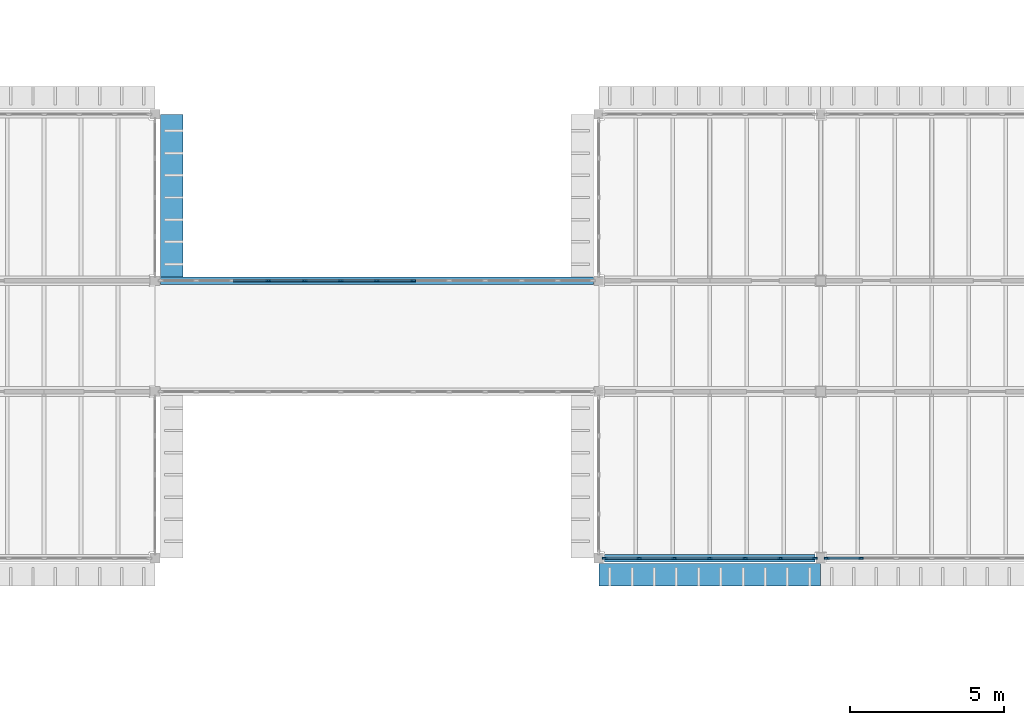
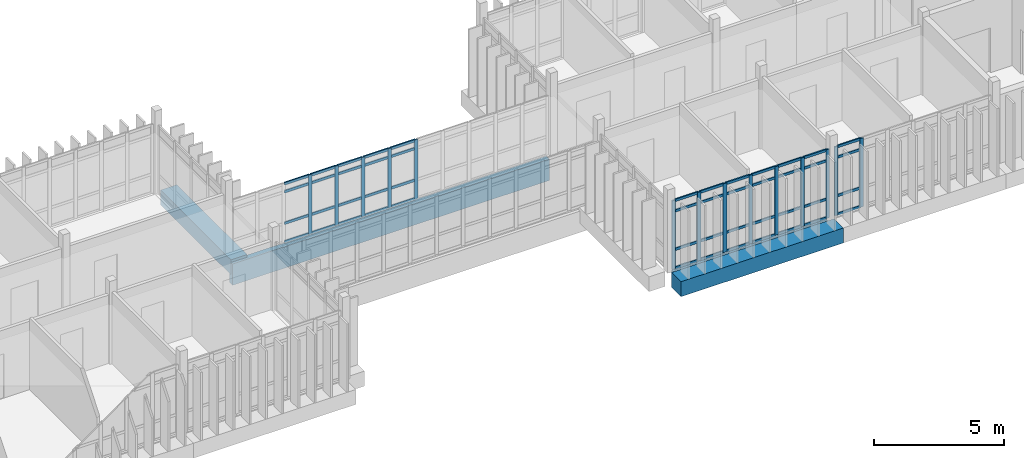
# One storey, part 14 of 71: 64 members, 2 beams, 3 elements without a shape of their own.
"""IFC4 building model written with IfcOpenShell, lengths in metres."""

from ifc_helpers import new_model, si_unit, direction, frame, origin, origin_2d, place, context, subcontext, project, spatial, rectangle, extrude, material, layer, layer_set, material_profile, profile_set, type_object, element, aggregate, save


model = new_model("IFC4")

# Units and contexts
model_context = context("Model", 3, precision=1e-05, world=origin(), true_north=direction((0.0, 1.0)))
body_context = subcontext(model_context, "Body", "Model", "MODEL_VIEW")
ifc_project = project(units=[si_unit("LENGTHUNIT", "METRE"), si_unit("AREAUNIT", "SQUARE_METRE"), si_unit("VOLUMEUNIT", "CUBIC_METRE"), si_unit("PLANEANGLEUNIT", "RADIAN"), si_unit("MASSUNIT", "GRAM", prefix="KILO")], contexts=[model_context])

# Site, building, storey
site_placement = place(None, origin())
site = spatial("IfcSite", under=ifc_project, at=site_placement, CompositionType="ELEMENT")
building_placement = place(site_placement, origin())
building = spatial("IfcBuilding", under=site, at=building_placement, Name="Mazhai Court Health Centre", CompositionType="ELEMENT")
storey_placement = place(building_placement, frame((0.0, 0.0, 10.199951171875)))
storey = spatial("IfcBuildingStorey", under=building, at=storey_placement, Name="L02", CompositionType="ELEMENT", Elevation=10.199951171875)

# Curtain wall, members
ifc_material_1 = material(Name="Teak timber frame, glazed", Category="wood")
ifc_layer = layer(ifc_material_1, 0.10009765625)
ifc_layer_set = layer_set([ifc_layer], Name="CURTAIN WALL TIMBER 1200")
curtain_wall_type = type_object("IfcCurtainWallType", Name="CURTAIN WALL TIMBER 1200", PredefinedType="NOTDEFINED", material=ifc_layer_set)
curtain_wall_1_placement = place(storey_placement, origin())
curtain_wall_1 = element("IfcCurtainWall", 1, at=curtain_wall_1_placement, inside=storey, type_object=curtain_wall_type, Name="CW-V4-L02-A5", PredefinedType="NOTDEFINED")
ifc_material_2 = material(Name="Teak timber", Category="wood")
ifc_material_profile_1 = material_profile(ifc_material_2, rectangle(XDim=0.06005859375, YDim=0.159912109375, at=origin_2d()), Name="CW MULLION 60x160")
ifc_profile_set_1 = profile_set([ifc_material_profile_1], Name="Teak timber")
member_type_1 = type_object("IfcMemberType", Name="CW MULLION 60x160", PredefinedType="MULLION", material=ifc_profile_set_1)
member_1_placement = place(storey_placement, frame((114.010009765625, 13.39990234375, 0.0), z_axis=(0.0, 0.0, 1.0), x_axis=(0.0, -1.0, 0.0)))
member_1 = element("IfcMember", 2, at=member_1_placement, type_object=member_type_1, Name="CW mullion 1", PredefinedType="MULLION", context=body_context, shape_type="SweptSolid", body=[
    extrude(rectangle(XDim=0.06005859375, YDim=0.159912109375, at=origin_2d()), origin(), (0.0, 0.0, 1.0), 3.219970703125),
])
member_2_placement = place(storey_placement, frame((112.893310546875, 13.39990234375, 0.0), z_axis=(0.0, 0.0, 1.0), x_axis=(0.0, -1.0, 0.0)))
member_2 = element("IfcMember", 3, at=member_2_placement, type_object=member_type_1, Name="CW mullion 2", PredefinedType="MULLION", context=body_context, shape_type="SweptSolid", body=[
    extrude(rectangle(XDim=0.06005859375, YDim=0.159912109375, at=origin_2d()), origin(), (0.0, 0.0, 1.0), 3.219970703125),
])
member_3_placement = place(storey_placement, frame((111.74658203125, 13.39990234375, 0.0), z_axis=(0.0, 0.0, 1.0), x_axis=(0.0, -1.0, 0.0)))
member_3 = element("IfcMember", 4, at=member_3_placement, type_object=member_type_1, Name="CW mullion 3", PredefinedType="MULLION", context=body_context, shape_type="SweptSolid", body=[
    extrude(rectangle(XDim=0.06005859375, YDim=0.159912109375, at=origin_2d()), origin(), (0.0, 0.0, 1.0), 3.219970703125),
])
member_4_placement = place(storey_placement, frame((110.60009765625, 13.39990234375, 0.0), z_axis=(0.0, 0.0, 1.0), x_axis=(0.0, -1.0, 0.0)))
member_4 = element("IfcMember", 5, at=member_4_placement, type_object=member_type_1, Name="CW mullion 4", PredefinedType="MULLION", context=body_context, shape_type="SweptSolid", body=[
    extrude(rectangle(XDim=0.06005859375, YDim=0.159912109375, at=origin_2d()), origin(), (0.0, 0.0, 1.0), 3.219970703125),
])
member_5_placement = place(storey_placement, frame((109.453369140625, 13.39990234375, 0.0), z_axis=(0.0, 0.0, 1.0), x_axis=(0.0, -1.0, 0.0)))
member_5 = element("IfcMember", 6, at=member_5_placement, type_object=member_type_1, Name="CW mullion 5", PredefinedType="MULLION", context=body_context, shape_type="SweptSolid", body=[
    extrude(rectangle(XDim=0.06005859375, YDim=0.159912109375, at=origin_2d()), origin(), (0.0, 0.0, 1.0), 3.219970703125),
])
member_6_placement = place(storey_placement, frame((108.306640625, 13.39990234375, 0.0), z_axis=(0.0, 0.0, 1.0), x_axis=(0.0, -1.0, 0.0)))
member_6 = element("IfcMember", 7, at=member_6_placement, type_object=member_type_1, Name="CW mullion 6", PredefinedType="MULLION", context=body_context, shape_type="SweptSolid", body=[
    extrude(rectangle(XDim=0.06005859375, YDim=0.159912109375, at=origin_2d()), origin(), (0.0, 0.0, 1.0), 3.219970703125),
])
member_7_placement = place(storey_placement, frame((107.18994140625, 13.39990234375, 0.0), z_axis=(0.0, 0.0, 1.0), x_axis=(0.0, -1.0, 0.0)))
member_7 = element("IfcMember", 8, at=member_7_placement, type_object=member_type_1, Name="CW mullion 7", PredefinedType="MULLION", context=body_context, shape_type="SweptSolid", body=[
    extrude(rectangle(XDim=0.06005859375, YDim=0.159912109375, at=origin_2d()), origin(), (0.0, 0.0, 1.0), 3.219970703125),
])

curtain_wall_2_placement = place(storey_placement, origin())
curtain_wall_2 = element("IfcCurtainWall", 9, at=curtain_wall_2_placement, inside=storey, type_object=curtain_wall_type, Name="CW-V4-L02-A6", PredefinedType="NOTDEFINED")
member_8_placement = place(storey_placement, frame((115.506591796875, 13.39990234375, 0.0), z_axis=(0.0, 0.0, 1.0), x_axis=(0.0, -1.0, 0.0)))
member_8 = element("IfcMember", 10, at=member_8_placement, type_object=member_type_1, Name="CW mullion 6", PredefinedType="MULLION", context=body_context, shape_type="SweptSolid", body=[
    extrude(rectangle(XDim=0.06005859375, YDim=0.159912109375, at=origin_2d()), origin(), (0.0, 0.0, 1.0), 3.219970703125),
])
member_9_placement = place(storey_placement, frame((114.389892578125, 13.39990234375, 0.0), z_axis=(0.0, 0.0, 1.0), x_axis=(0.0, -1.0, 0.0)))
member_9 = element("IfcMember", 11, at=member_9_placement, type_object=member_type_1, Name="CW mullion 7", PredefinedType="MULLION", context=body_context, shape_type="SweptSolid", body=[
    extrude(rectangle(XDim=0.06005859375, YDim=0.159912109375, at=origin_2d()), origin(), (0.0, 0.0, 1.0), 3.219970703125),
])

curtain_wall_3_placement = place(storey_placement, origin())
curtain_wall_3 = element("IfcCurtainWall", 12, at=curtain_wall_3_placement, inside=storey, type_object=curtain_wall_type, Name="CW-BR-LC2-N", PredefinedType="NOTDEFINED")
member_10_placement = place(storey_placement, frame((96.280029296875, 22.39990234375, 0.0), z_axis=(0.0, 0.0, 1.0), x_axis=(0.0, 1.0, 0.0)))
member_10 = element("IfcMember", 13, at=member_10_placement, type_object=member_type_1, Name="CW mullion 4", PredefinedType="MULLION", context=body_context, shape_type="SweptSolid", body=[
    extrude(rectangle(XDim=0.06005859375, YDim=0.159912109375, at=origin_2d()), origin(), (0.0, 0.0, 1.0), 2.780029296875),
])
member_11_placement = place(storey_placement, frame((97.453369140625, 22.39990234375, 0.0), z_axis=(0.0, 0.0, 1.0), x_axis=(0.0, 1.0, 0.0)))
member_11 = element("IfcMember", 14, at=member_11_placement, type_object=member_type_1, Name="CW mullion 5", PredefinedType="MULLION", context=body_context, shape_type="SweptSolid", body=[
    extrude(rectangle(XDim=0.06005859375, YDim=0.159912109375, at=origin_2d()), origin(), (0.0, 0.0, 1.0), 2.780029296875),
])
member_12_placement = place(storey_placement, frame((98.626708984375, 22.39990234375, 0.0), z_axis=(0.0, 0.0, 1.0), x_axis=(0.0, 1.0, 0.0)))
member_12 = element("IfcMember", 15, at=member_12_placement, type_object=member_type_1, Name="CW mullion 6", PredefinedType="MULLION", context=body_context, shape_type="SweptSolid", body=[
    extrude(rectangle(XDim=0.06005859375, YDim=0.159912109375, at=origin_2d()), origin(), (0.0, 0.0, 1.0), 2.780029296875),
])
member_13_placement = place(storey_placement, frame((99.800048828125, 22.39990234375, 0.0), z_axis=(0.0, 0.0, 1.0), x_axis=(0.0, 1.0, 0.0)))
member_13 = element("IfcMember", 16, at=member_13_placement, type_object=member_type_1, Name="CW mullion 7", PredefinedType="MULLION", context=body_context, shape_type="SweptSolid", body=[
    extrude(rectangle(XDim=0.06005859375, YDim=0.159912109375, at=origin_2d()), origin(), (0.0, 0.0, 1.0), 2.780029296875),
])
member_14_placement = place(storey_placement, frame((100.973388671875, 22.39990234375, 0.0), z_axis=(0.0, 0.0, 1.0), x_axis=(0.0, 1.0, 0.0)))
member_14 = element("IfcMember", 17, at=member_14_placement, type_object=member_type_1, Name="CW mullion 8", PredefinedType="MULLION", context=body_context, shape_type="SweptSolid", body=[
    extrude(rectangle(XDim=0.06005859375, YDim=0.159912109375, at=origin_2d()), origin(), (0.0, 0.0, 1.0), 2.780029296875),
])

# Member
ifc_material_3 = material(Name="Teak timber", Category="wood")
ifc_material_profile_2 = material_profile(ifc_material_3, rectangle(XDim=0.06005859375, YDim=0.1201171875, at=origin_2d()), Name="CW TRANSOM 60x120")
ifc_profile_set_2 = profile_set([ifc_material_profile_2], Name="Teak timber")
member_type_2 = type_object("IfcMemberType", Name="CW TRANSOM 60x120", PredefinedType="USERDEFINED", material=ifc_profile_set_2)
member_15_placement = place(storey_placement, frame((113.97998046875, 13.39990234375, 0.030029296875), z_axis=(-1.0, 0.0, 0.0), x_axis=(0.0, -1.0, 0.0)))
member_15 = element("IfcMember", 18, at=member_15_placement, type_object=member_type_2, Name="CW transom 1.1", ObjectType="TRANSOM", PredefinedType="USERDEFINED", context=body_context, shape_type="SweptSolid", body=[
    extrude(rectangle(XDim=0.06005859375, YDim=0.1201171875, at=origin_2d()), origin(), (0.0, 0.0, 1.0), 1.056640625),
])

member_16_placement = place(storey_placement, frame((113.97998046875, 13.39990234375, 0.900146484375), z_axis=(-1.0, 0.0, 0.0), x_axis=(0.0, -1.0, 0.0)))
member_16 = element("IfcMember", 19, at=member_16_placement, type_object=member_type_2, Name="CW transom 1.2", ObjectType="TRANSOM", PredefinedType="USERDEFINED", context=body_context, shape_type="SweptSolid", body=[
    extrude(rectangle(XDim=0.06005859375, YDim=0.1201171875, at=origin_2d()), origin(), (0.0, 0.0, 1.0), 1.056640625),
])

member_17_placement = place(storey_placement, frame((113.97998046875, 13.39990234375, 2.699951171875), z_axis=(-1.0, 0.0, 0.0), x_axis=(0.0, -1.0, 0.0)))
member_17 = element("IfcMember", 20, at=member_17_placement, type_object=member_type_2, Name="CW transom 1.3", ObjectType="TRANSOM", PredefinedType="USERDEFINED", context=body_context, shape_type="SweptSolid", body=[
    extrude(rectangle(XDim=0.06005859375, YDim=0.1201171875, at=origin_2d()), origin(), (0.0, 0.0, 1.0), 1.056640625),
])

member_18_placement = place(storey_placement, frame((113.97998046875, 13.39990234375, 3.18994140625), z_axis=(-1.0, 0.0, 0.0), x_axis=(0.0, -1.0, 0.0)))
member_18 = element("IfcMember", 21, at=member_18_placement, type_object=member_type_2, Name="CW transom 1.4", ObjectType="TRANSOM", PredefinedType="USERDEFINED", context=body_context, shape_type="SweptSolid", body=[
    extrude(rectangle(XDim=0.06005859375, YDim=0.1201171875, at=origin_2d()), origin(), (0.0, 0.0, 1.0), 1.056640625),
])

member_19_placement = place(storey_placement, frame((112.86328125, 13.39990234375, 0.030029296875), z_axis=(-1.0, 0.0, 0.0), x_axis=(0.0, -1.0, 0.0)))
member_19 = element("IfcMember", 22, at=member_19_placement, type_object=member_type_2, Name="CW transom 2.1", ObjectType="TRANSOM", PredefinedType="USERDEFINED", context=body_context, shape_type="SweptSolid", body=[
    extrude(rectangle(XDim=0.06005859375, YDim=0.1201171875, at=origin_2d()), origin(), (0.0, 0.0, 1.0), 1.086669921875),
])

member_20_placement = place(storey_placement, frame((112.86328125, 13.39990234375, 0.900146484375), z_axis=(-1.0, 0.0, 0.0), x_axis=(0.0, -1.0, 0.0)))
member_20 = element("IfcMember", 23, at=member_20_placement, type_object=member_type_2, Name="CW transom 2.2", ObjectType="TRANSOM", PredefinedType="USERDEFINED", context=body_context, shape_type="SweptSolid", body=[
    extrude(rectangle(XDim=0.06005859375, YDim=0.1201171875, at=origin_2d()), origin(), (0.0, 0.0, 1.0), 1.086669921875),
])

member_21_placement = place(storey_placement, frame((112.86328125, 13.39990234375, 2.699951171875), z_axis=(-1.0, 0.0, 0.0), x_axis=(0.0, -1.0, 0.0)))
member_21 = element("IfcMember", 24, at=member_21_placement, type_object=member_type_2, Name="CW transom 2.3", ObjectType="TRANSOM", PredefinedType="USERDEFINED", context=body_context, shape_type="SweptSolid", body=[
    extrude(rectangle(XDim=0.06005859375, YDim=0.1201171875, at=origin_2d()), origin(), (0.0, 0.0, 1.0), 1.086669921875),
])

member_22_placement = place(storey_placement, frame((112.86328125, 13.39990234375, 3.18994140625), z_axis=(-1.0, 0.0, 0.0), x_axis=(0.0, -1.0, 0.0)))
member_22 = element("IfcMember", 25, at=member_22_placement, type_object=member_type_2, Name="CW transom 2.4", ObjectType="TRANSOM", PredefinedType="USERDEFINED", context=body_context, shape_type="SweptSolid", body=[
    extrude(rectangle(XDim=0.06005859375, YDim=0.1201171875, at=origin_2d()), origin(), (0.0, 0.0, 1.0), 1.086669921875),
])

member_23_placement = place(storey_placement, frame((111.716552734375, 13.39990234375, 0.030029296875), z_axis=(-1.0, 0.0, 0.0), x_axis=(0.0, -1.0, 0.0)))
member_23 = element("IfcMember", 26, at=member_23_placement, type_object=member_type_2, Name="CW transom 3.1", ObjectType="TRANSOM", PredefinedType="USERDEFINED", context=body_context, shape_type="SweptSolid", body=[
    extrude(rectangle(XDim=0.06005859375, YDim=0.1201171875, at=origin_2d()), origin(), (0.0, 0.0, 1.0), 1.086669921875),
])

member_24_placement = place(storey_placement, frame((111.716552734375, 13.39990234375, 0.900146484375), z_axis=(-1.0, 0.0, 0.0), x_axis=(0.0, -1.0, 0.0)))
member_24 = element("IfcMember", 27, at=member_24_placement, type_object=member_type_2, Name="CW transom 3.2", ObjectType="TRANSOM", PredefinedType="USERDEFINED", context=body_context, shape_type="SweptSolid", body=[
    extrude(rectangle(XDim=0.06005859375, YDim=0.1201171875, at=origin_2d()), origin(), (0.0, 0.0, 1.0), 1.086669921875),
])

member_25_placement = place(storey_placement, frame((111.716552734375, 13.39990234375, 2.699951171875), z_axis=(-1.0, 0.0, 0.0), x_axis=(0.0, -1.0, 0.0)))
member_25 = element("IfcMember", 28, at=member_25_placement, type_object=member_type_2, Name="CW transom 3.3", ObjectType="TRANSOM", PredefinedType="USERDEFINED", context=body_context, shape_type="SweptSolid", body=[
    extrude(rectangle(XDim=0.06005859375, YDim=0.1201171875, at=origin_2d()), origin(), (0.0, 0.0, 1.0), 1.086669921875),
])

member_26_placement = place(storey_placement, frame((111.716552734375, 13.39990234375, 3.18994140625), z_axis=(-1.0, 0.0, 0.0), x_axis=(0.0, -1.0, 0.0)))
member_26 = element("IfcMember", 29, at=member_26_placement, type_object=member_type_2, Name="CW transom 3.4", ObjectType="TRANSOM", PredefinedType="USERDEFINED", context=body_context, shape_type="SweptSolid", body=[
    extrude(rectangle(XDim=0.06005859375, YDim=0.1201171875, at=origin_2d()), origin(), (0.0, 0.0, 1.0), 1.086669921875),
])

member_27_placement = place(storey_placement, frame((110.570068359375, 13.39990234375, 0.030029296875), z_axis=(-1.0, 0.0, 0.0), x_axis=(0.0, -1.0, 0.0)))
member_27 = element("IfcMember", 30, at=member_27_placement, type_object=member_type_2, Name="CW transom 4.1", ObjectType="TRANSOM", PredefinedType="USERDEFINED", context=body_context, shape_type="SweptSolid", body=[
    extrude(rectangle(XDim=0.06005859375, YDim=0.1201171875, at=origin_2d()), origin(), (0.0, 0.0, 1.0), 1.086669921875),
])

member_28_placement = place(storey_placement, frame((110.570068359375, 13.39990234375, 0.900146484375), z_axis=(-1.0, 0.0, 0.0), x_axis=(0.0, -1.0, 0.0)))
member_28 = element("IfcMember", 31, at=member_28_placement, type_object=member_type_2, Name="CW transom 4.2", ObjectType="TRANSOM", PredefinedType="USERDEFINED", context=body_context, shape_type="SweptSolid", body=[
    extrude(rectangle(XDim=0.06005859375, YDim=0.1201171875, at=origin_2d()), origin(), (0.0, 0.0, 1.0), 1.086669921875),
])

member_29_placement = place(storey_placement, frame((110.570068359375, 13.39990234375, 2.699951171875), z_axis=(-1.0, 0.0, 0.0), x_axis=(0.0, -1.0, 0.0)))
member_29 = element("IfcMember", 32, at=member_29_placement, type_object=member_type_2, Name="CW transom 4.3", ObjectType="TRANSOM", PredefinedType="USERDEFINED", context=body_context, shape_type="SweptSolid", body=[
    extrude(rectangle(XDim=0.06005859375, YDim=0.1201171875, at=origin_2d()), origin(), (0.0, 0.0, 1.0), 1.086669921875),
])

member_30_placement = place(storey_placement, frame((110.570068359375, 13.39990234375, 3.18994140625), z_axis=(-1.0, 0.0, 0.0), x_axis=(0.0, -1.0, 0.0)))
member_30 = element("IfcMember", 33, at=member_30_placement, type_object=member_type_2, Name="CW transom 4.4", ObjectType="TRANSOM", PredefinedType="USERDEFINED", context=body_context, shape_type="SweptSolid", body=[
    extrude(rectangle(XDim=0.06005859375, YDim=0.1201171875, at=origin_2d()), origin(), (0.0, 0.0, 1.0), 1.086669921875),
])

member_31_placement = place(storey_placement, frame((109.42333984375, 13.39990234375, 0.030029296875), z_axis=(-1.0, 0.0, 0.0), x_axis=(0.0, -1.0, 0.0)))
member_31 = element("IfcMember", 34, at=member_31_placement, type_object=member_type_2, Name="CW transom 5.1", ObjectType="TRANSOM", PredefinedType="USERDEFINED", context=body_context, shape_type="SweptSolid", body=[
    extrude(rectangle(XDim=0.06005859375, YDim=0.1201171875, at=origin_2d()), origin(), (0.0, 0.0, 1.0), 1.086669921875),
])

member_32_placement = place(storey_placement, frame((109.42333984375, 13.39990234375, 0.900146484375), z_axis=(-1.0, 0.0, 0.0), x_axis=(0.0, -1.0, 0.0)))
member_32 = element("IfcMember", 35, at=member_32_placement, type_object=member_type_2, Name="CW transom 5.2", ObjectType="TRANSOM", PredefinedType="USERDEFINED", context=body_context, shape_type="SweptSolid", body=[
    extrude(rectangle(XDim=0.06005859375, YDim=0.1201171875, at=origin_2d()), origin(), (0.0, 0.0, 1.0), 1.086669921875),
])

member_33_placement = place(storey_placement, frame((109.42333984375, 13.39990234375, 2.699951171875), z_axis=(-1.0, 0.0, 0.0), x_axis=(0.0, -1.0, 0.0)))
member_33 = element("IfcMember", 36, at=member_33_placement, type_object=member_type_2, Name="CW transom 5.3", ObjectType="TRANSOM", PredefinedType="USERDEFINED", context=body_context, shape_type="SweptSolid", body=[
    extrude(rectangle(XDim=0.06005859375, YDim=0.1201171875, at=origin_2d()), origin(), (0.0, 0.0, 1.0), 1.086669921875),
])

member_34_placement = place(storey_placement, frame((109.42333984375, 13.39990234375, 3.18994140625), z_axis=(-1.0, 0.0, 0.0), x_axis=(0.0, -1.0, 0.0)))
member_34 = element("IfcMember", 37, at=member_34_placement, type_object=member_type_2, Name="CW transom 5.4", ObjectType="TRANSOM", PredefinedType="USERDEFINED", context=body_context, shape_type="SweptSolid", body=[
    extrude(rectangle(XDim=0.06005859375, YDim=0.1201171875, at=origin_2d()), origin(), (0.0, 0.0, 1.0), 1.086669921875),
])

member_35_placement = place(storey_placement, frame((108.276611328125, 13.39990234375, 0.030029296875), z_axis=(-1.0, 0.0, 0.0), x_axis=(0.0, -1.0, 0.0)))
member_35 = element("IfcMember", 38, at=member_35_placement, type_object=member_type_2, Name="CW transom 6.1", ObjectType="TRANSOM", PredefinedType="USERDEFINED", context=body_context, shape_type="SweptSolid", body=[
    extrude(rectangle(XDim=0.06005859375, YDim=0.1201171875, at=origin_2d()), origin(), (0.0, 0.0, 1.0), 1.056640625),
])

member_36_placement = place(storey_placement, frame((108.276611328125, 13.39990234375, 0.900146484375), z_axis=(-1.0, 0.0, 0.0), x_axis=(0.0, -1.0, 0.0)))
member_36 = element("IfcMember", 39, at=member_36_placement, type_object=member_type_2, Name="CW transom 6.2", ObjectType="TRANSOM", PredefinedType="USERDEFINED", context=body_context, shape_type="SweptSolid", body=[
    extrude(rectangle(XDim=0.06005859375, YDim=0.1201171875, at=origin_2d()), origin(), (0.0, 0.0, 1.0), 1.056640625),
])

member_37_placement = place(storey_placement, frame((108.276611328125, 13.39990234375, 2.699951171875), z_axis=(-1.0, 0.0, 0.0), x_axis=(0.0, -1.0, 0.0)))
member_37 = element("IfcMember", 40, at=member_37_placement, type_object=member_type_2, Name="CW transom 6.3", ObjectType="TRANSOM", PredefinedType="USERDEFINED", context=body_context, shape_type="SweptSolid", body=[
    extrude(rectangle(XDim=0.06005859375, YDim=0.1201171875, at=origin_2d()), origin(), (0.0, 0.0, 1.0), 1.056640625),
])

member_38_placement = place(storey_placement, frame((108.276611328125, 13.39990234375, 3.18994140625), z_axis=(-1.0, 0.0, 0.0), x_axis=(0.0, -1.0, 0.0)))
member_38 = element("IfcMember", 41, at=member_38_placement, type_object=member_type_2, Name="CW transom 6.4", ObjectType="TRANSOM", PredefinedType="USERDEFINED", context=body_context, shape_type="SweptSolid", body=[
    extrude(rectangle(XDim=0.06005859375, YDim=0.1201171875, at=origin_2d()), origin(), (0.0, 0.0, 1.0), 1.056640625),
])

aggregate(curtain_wall_1, [member_1, member_2, member_3, member_4, member_5, member_6, member_7, member_15, member_16, member_17, member_18, member_19, member_20, member_21, member_22, member_23, member_24, member_25, member_26, member_27, member_28, member_29, member_30, member_31, member_32, member_33, member_34, member_35, member_36, member_37, member_38])

member_39_placement = place(storey_placement, frame((115.4765625, 13.39990234375, 0.030029296875), z_axis=(-1.0, 0.0, 0.0), x_axis=(0.0, -1.0, 0.0)))
member_39 = element("IfcMember", 42, at=member_39_placement, type_object=member_type_2, Name="CW transom 6.1", ObjectType="TRANSOM", PredefinedType="USERDEFINED", context=body_context, shape_type="SweptSolid", body=[
    extrude(rectangle(XDim=0.06005859375, YDim=0.1201171875, at=origin_2d()), origin(), (0.0, 0.0, 1.0), 1.056640625),
])

member_40_placement = place(storey_placement, frame((115.4765625, 13.39990234375, 0.900146484375), z_axis=(-1.0, 0.0, 0.0), x_axis=(0.0, -1.0, 0.0)))
member_40 = element("IfcMember", 43, at=member_40_placement, type_object=member_type_2, Name="CW transom 6.2", ObjectType="TRANSOM", PredefinedType="USERDEFINED", context=body_context, shape_type="SweptSolid", body=[
    extrude(rectangle(XDim=0.06005859375, YDim=0.1201171875, at=origin_2d()), origin(), (0.0, 0.0, 1.0), 1.056640625),
])

member_41_placement = place(storey_placement, frame((115.4765625, 13.39990234375, 2.699951171875), z_axis=(-1.0, 0.0, 0.0), x_axis=(0.0, -1.0, 0.0)))
member_41 = element("IfcMember", 44, at=member_41_placement, type_object=member_type_2, Name="CW transom 6.3", ObjectType="TRANSOM", PredefinedType="USERDEFINED", context=body_context, shape_type="SweptSolid", body=[
    extrude(rectangle(XDim=0.06005859375, YDim=0.1201171875, at=origin_2d()), origin(), (0.0, 0.0, 1.0), 1.056640625),
])

member_42_placement = place(storey_placement, frame((115.4765625, 13.39990234375, 3.18994140625), z_axis=(-1.0, 0.0, 0.0), x_axis=(0.0, -1.0, 0.0)))
member_42 = element("IfcMember", 45, at=member_42_placement, type_object=member_type_2, Name="CW transom 6.4", ObjectType="TRANSOM", PredefinedType="USERDEFINED", context=body_context, shape_type="SweptSolid", body=[
    extrude(rectangle(XDim=0.06005859375, YDim=0.1201171875, at=origin_2d()), origin(), (0.0, 0.0, 1.0), 1.056640625),
])

aggregate(curtain_wall_2, [member_8, member_9, member_39, member_40, member_41, member_42])

member_43_placement = place(storey_placement, frame((95.13671875, 22.39990234375, 0.030029296875), z_axis=(1.0, 0.0, 0.0), x_axis=(0.0, 1.0, 0.0)))
member_43 = element("IfcMember", 46, at=member_43_placement, type_object=member_type_2, Name="CW transom 3.1", ObjectType="TRANSOM", PredefinedType="USERDEFINED", context=body_context, shape_type="SweptSolid", body=[
    extrude(rectangle(XDim=0.06005859375, YDim=0.1201171875, at=origin_2d()), origin(), (0.0, 0.0, 1.0), 1.11328125),
])

member_44_placement = place(storey_placement, frame((95.13671875, 22.39990234375, 0.900146484375), z_axis=(1.0, 0.0, 0.0), x_axis=(0.0, 1.0, 0.0)))
member_44 = element("IfcMember", 47, at=member_44_placement, type_object=member_type_2, Name="CW transom 3.2", ObjectType="TRANSOM", PredefinedType="USERDEFINED", context=body_context, shape_type="SweptSolid", body=[
    extrude(rectangle(XDim=0.06005859375, YDim=0.1201171875, at=origin_2d()), origin(), (0.0, 0.0, 1.0), 1.11328125),
])

member_45_placement = place(storey_placement, frame((95.13671875, 22.39990234375, 2.380126953125), z_axis=(1.0, 0.0, 0.0), x_axis=(0.0, 1.0, 0.0)))
member_45 = element("IfcMember", 48, at=member_45_placement, type_object=member_type_2, Name="CW transom 3.3", ObjectType="TRANSOM", PredefinedType="USERDEFINED", context=body_context, shape_type="SweptSolid", body=[
    extrude(rectangle(XDim=0.06005859375, YDim=0.1201171875, at=origin_2d()), origin(), (0.0, 0.0, 1.0), 1.11328125),
])

member_46_placement = place(storey_placement, frame((95.13671875, 22.39990234375, 2.75), z_axis=(1.0, 0.0, 0.0), x_axis=(0.0, 1.0, 0.0)))
member_46 = element("IfcMember", 49, at=member_46_placement, type_object=member_type_2, Name="CW transom 3.4", ObjectType="TRANSOM", PredefinedType="USERDEFINED", context=body_context, shape_type="SweptSolid", body=[
    extrude(rectangle(XDim=0.06005859375, YDim=0.1201171875, at=origin_2d()), origin(), (0.0, 0.0, 1.0), 1.11328125),
])

member_47_placement = place(storey_placement, frame((96.31005859375, 22.39990234375, 0.030029296875), z_axis=(1.0, 0.0, 0.0), x_axis=(0.0, 1.0, 0.0)))
member_47 = element("IfcMember", 50, at=member_47_placement, type_object=member_type_2, Name="CW transom 4.1", ObjectType="TRANSOM", PredefinedType="USERDEFINED", context=body_context, shape_type="SweptSolid", body=[
    extrude(rectangle(XDim=0.06005859375, YDim=0.1201171875, at=origin_2d()), origin(), (0.0, 0.0, 1.0), 1.11328125),
])

member_48_placement = place(storey_placement, frame((96.31005859375, 22.39990234375, 0.900146484375), z_axis=(1.0, 0.0, 0.0), x_axis=(0.0, 1.0, 0.0)))
member_48 = element("IfcMember", 51, at=member_48_placement, type_object=member_type_2, Name="CW transom 4.2", ObjectType="TRANSOM", PredefinedType="USERDEFINED", context=body_context, shape_type="SweptSolid", body=[
    extrude(rectangle(XDim=0.06005859375, YDim=0.1201171875, at=origin_2d()), origin(), (0.0, 0.0, 1.0), 1.11328125),
])

member_49_placement = place(storey_placement, frame((96.31005859375, 22.39990234375, 2.380126953125), z_axis=(1.0, 0.0, 0.0), x_axis=(0.0, 1.0, 0.0)))
member_49 = element("IfcMember", 52, at=member_49_placement, type_object=member_type_2, Name="CW transom 4.3", ObjectType="TRANSOM", PredefinedType="USERDEFINED", context=body_context, shape_type="SweptSolid", body=[
    extrude(rectangle(XDim=0.06005859375, YDim=0.1201171875, at=origin_2d()), origin(), (0.0, 0.0, 1.0), 1.11328125),
])

member_50_placement = place(storey_placement, frame((96.31005859375, 22.39990234375, 2.75), z_axis=(1.0, 0.0, 0.0), x_axis=(0.0, 1.0, 0.0)))
member_50 = element("IfcMember", 53, at=member_50_placement, type_object=member_type_2, Name="CW transom 4.4", ObjectType="TRANSOM", PredefinedType="USERDEFINED", context=body_context, shape_type="SweptSolid", body=[
    extrude(rectangle(XDim=0.06005859375, YDim=0.1201171875, at=origin_2d()), origin(), (0.0, 0.0, 1.0), 1.11328125),
])

member_51_placement = place(storey_placement, frame((97.4833984375, 22.39990234375, 0.030029296875), z_axis=(1.0, 0.0, 0.0), x_axis=(0.0, 1.0, 0.0)))
member_51 = element("IfcMember", 54, at=member_51_placement, type_object=member_type_2, Name="CW transom 5.1", ObjectType="TRANSOM", PredefinedType="USERDEFINED", context=body_context, shape_type="SweptSolid", body=[
    extrude(rectangle(XDim=0.06005859375, YDim=0.1201171875, at=origin_2d()), origin(), (0.0, 0.0, 1.0), 1.11328125),
])

member_52_placement = place(storey_placement, frame((97.4833984375, 22.39990234375, 0.900146484375), z_axis=(1.0, 0.0, 0.0), x_axis=(0.0, 1.0, 0.0)))
member_52 = element("IfcMember", 55, at=member_52_placement, type_object=member_type_2, Name="CW transom 5.2", ObjectType="TRANSOM", PredefinedType="USERDEFINED", context=body_context, shape_type="SweptSolid", body=[
    extrude(rectangle(XDim=0.06005859375, YDim=0.1201171875, at=origin_2d()), origin(), (0.0, 0.0, 1.0), 1.11328125),
])

member_53_placement = place(storey_placement, frame((97.4833984375, 22.39990234375, 2.380126953125), z_axis=(1.0, 0.0, 0.0), x_axis=(0.0, 1.0, 0.0)))
member_53 = element("IfcMember", 56, at=member_53_placement, type_object=member_type_2, Name="CW transom 5.3", ObjectType="TRANSOM", PredefinedType="USERDEFINED", context=body_context, shape_type="SweptSolid", body=[
    extrude(rectangle(XDim=0.06005859375, YDim=0.1201171875, at=origin_2d()), origin(), (0.0, 0.0, 1.0), 1.11328125),
])

member_54_placement = place(storey_placement, frame((97.4833984375, 22.39990234375, 2.75), z_axis=(1.0, 0.0, 0.0), x_axis=(0.0, 1.0, 0.0)))
member_54 = element("IfcMember", 57, at=member_54_placement, type_object=member_type_2, Name="CW transom 5.4", ObjectType="TRANSOM", PredefinedType="USERDEFINED", context=body_context, shape_type="SweptSolid", body=[
    extrude(rectangle(XDim=0.06005859375, YDim=0.1201171875, at=origin_2d()), origin(), (0.0, 0.0, 1.0), 1.11328125),
])

member_55_placement = place(storey_placement, frame((98.65673828125, 22.39990234375, 0.030029296875), z_axis=(1.0, 0.0, 0.0), x_axis=(0.0, 1.0, 0.0)))
member_55 = element("IfcMember", 58, at=member_55_placement, type_object=member_type_2, Name="CW transom 6.1", ObjectType="TRANSOM", PredefinedType="USERDEFINED", context=body_context, shape_type="SweptSolid", body=[
    extrude(rectangle(XDim=0.06005859375, YDim=0.1201171875, at=origin_2d()), origin(), (0.0, 0.0, 1.0), 1.11328125),
])

member_56_placement = place(storey_placement, frame((98.65673828125, 22.39990234375, 0.900146484375), z_axis=(1.0, 0.0, 0.0), x_axis=(0.0, 1.0, 0.0)))
member_56 = element("IfcMember", 59, at=member_56_placement, type_object=member_type_2, Name="CW transom 6.2", ObjectType="TRANSOM", PredefinedType="USERDEFINED", context=body_context, shape_type="SweptSolid", body=[
    extrude(rectangle(XDim=0.06005859375, YDim=0.1201171875, at=origin_2d()), origin(), (0.0, 0.0, 1.0), 1.11328125),
])

member_57_placement = place(storey_placement, frame((98.65673828125, 22.39990234375, 2.380126953125), z_axis=(1.0, 0.0, 0.0), x_axis=(0.0, 1.0, 0.0)))
member_57 = element("IfcMember", 60, at=member_57_placement, type_object=member_type_2, Name="CW transom 6.3", ObjectType="TRANSOM", PredefinedType="USERDEFINED", context=body_context, shape_type="SweptSolid", body=[
    extrude(rectangle(XDim=0.06005859375, YDim=0.1201171875, at=origin_2d()), origin(), (0.0, 0.0, 1.0), 1.11328125),
])

member_58_placement = place(storey_placement, frame((98.65673828125, 22.39990234375, 2.75), z_axis=(1.0, 0.0, 0.0), x_axis=(0.0, 1.0, 0.0)))
member_58 = element("IfcMember", 61, at=member_58_placement, type_object=member_type_2, Name="CW transom 6.4", ObjectType="TRANSOM", PredefinedType="USERDEFINED", context=body_context, shape_type="SweptSolid", body=[
    extrude(rectangle(XDim=0.06005859375, YDim=0.1201171875, at=origin_2d()), origin(), (0.0, 0.0, 1.0), 1.11328125),
])

member_59_placement = place(storey_placement, frame((99.830078125, 22.39990234375, 0.030029296875), z_axis=(1.0, 0.0, 0.0), x_axis=(0.0, 1.0, 0.0)))
member_59 = element("IfcMember", 62, at=member_59_placement, type_object=member_type_2, Name="CW transom 7.1", ObjectType="TRANSOM", PredefinedType="USERDEFINED", context=body_context, shape_type="SweptSolid", body=[
    extrude(rectangle(XDim=0.06005859375, YDim=0.1201171875, at=origin_2d()), origin(), (0.0, 0.0, 1.0), 1.11328125),
])

member_60_placement = place(storey_placement, frame((99.830078125, 22.39990234375, 0.900146484375), z_axis=(1.0, 0.0, 0.0), x_axis=(0.0, 1.0, 0.0)))
member_60 = element("IfcMember", 63, at=member_60_placement, type_object=member_type_2, Name="CW transom 7.2", ObjectType="TRANSOM", PredefinedType="USERDEFINED", context=body_context, shape_type="SweptSolid", body=[
    extrude(rectangle(XDim=0.06005859375, YDim=0.1201171875, at=origin_2d()), origin(), (0.0, 0.0, 1.0), 1.11328125),
])

member_61_placement = place(storey_placement, frame((99.830078125, 22.39990234375, 2.380126953125), z_axis=(1.0, 0.0, 0.0), x_axis=(0.0, 1.0, 0.0)))
member_61 = element("IfcMember", 64, at=member_61_placement, type_object=member_type_2, Name="CW transom 7.3", ObjectType="TRANSOM", PredefinedType="USERDEFINED", context=body_context, shape_type="SweptSolid", body=[
    extrude(rectangle(XDim=0.06005859375, YDim=0.1201171875, at=origin_2d()), origin(), (0.0, 0.0, 1.0), 1.11328125),
])

member_62_placement = place(storey_placement, frame((99.830078125, 22.39990234375, 2.75), z_axis=(1.0, 0.0, 0.0), x_axis=(0.0, 1.0, 0.0)))
member_62 = element("IfcMember", 65, at=member_62_placement, type_object=member_type_2, Name="CW transom 7.4", ObjectType="TRANSOM", PredefinedType="USERDEFINED", context=body_context, shape_type="SweptSolid", body=[
    extrude(rectangle(XDim=0.06005859375, YDim=0.1201171875, at=origin_2d()), origin(), (0.0, 0.0, 1.0), 1.11328125),
])

aggregate(curtain_wall_3, [member_10, member_11, member_12, member_13, member_14, member_43, member_44, member_45, member_46, member_47, member_48, member_49, member_50, member_51, member_52, member_53, member_54, member_55, member_56, member_57, member_58, member_59, member_60, member_61, member_62])

# Members
ifc_material_4 = material(Name="Glulam GL24h", Category="wood")
ifc_material_profile_3 = material_profile(ifc_material_4, rectangle(XDim=0.719970703125, YDim=0.699951171875, at=origin_2d()), Name="FIN RAIL 720x700")
ifc_profile_set_3 = profile_set([ifc_material_profile_3], Name="Glulam GL24h")
member_type_3 = type_object("IfcMemberType", Name="FIN RAIL 720x700", PredefinedType="USERDEFINED", material=ifc_profile_set_3)
member_63_placement = place(storey_placement, frame((114.199951171875, 12.860107421875, -0.349853515625), z_axis=(-1.0, 0.0, 0.0), x_axis=(0.0, -1.0, 0.0)))
element("IfcMember", 66, at=member_63_placement, inside=storey, type_object=member_type_3, Name="FR-V4-A3-L02", ObjectType="FIN RAIL", PredefinedType="USERDEFINED", context=body_context, shape_type="SweptSolid", body=[
    extrude(rectangle(XDim=0.719970703125, YDim=0.699951171875, at=origin_2d()), origin(), (0.0, 0.0, 1.0), 7.199951171875),
])
member_64_placement = place(storey_placement, frame((93.139892578125, 27.800048828125, -0.349853515625), z_axis=(0.0, -1.0, 0.0), x_axis=(1.0, 0.0, 0.0)))
element("IfcMember", 67, at=member_64_placement, inside=storey, type_object=member_type_3, Name="FR-V4-CE2-1-L02", ObjectType="FIN RAIL", PredefinedType="USERDEFINED", context=body_context, shape_type="SweptSolid", body=[
    extrude(rectangle(XDim=0.719970703125, YDim=0.699951171875, at=origin_2d()), origin(), (0.0, 0.0, 1.0), 5.400146484375),
])

# Beams
ifc_material_5 = material(Name="Glulam GL28h", Category="wood")
ifc_material_profile_4 = material_profile(ifc_material_5, rectangle(XDim=0.239990234375, YDim=1.0, at=origin_2d()), Name="GL28h 240x1000")
ifc_profile_set_4 = profile_set([ifc_material_profile_4], Name="Glulam GL28h")
beam_type_1 = type_object("IfcBeamType", Name="GL28h 240x1000 girder", PredefinedType="BEAM", material=ifc_profile_set_4)
beam_1_placement = place(storey_placement, frame((92.780029296875, 22.39990234375, -0.619873046875), z_axis=(1.0, 0.0, 0.0), x_axis=(0.0, 1.0, 0.0)))
element("IfcBeam", 68, at=beam_1_placement, inside=storey, type_object=beam_type_1, Name="girder-BR-LC2-N", PredefinedType="BEAM", context=body_context, shape_type="SweptSolid", body=[
    extrude(rectangle(XDim=0.239990234375, YDim=1.0, at=origin_2d()), origin(), (0.0, 0.0, 1.0), 14.0400390625),
])
ifc_material_6 = material(Name="Glulam GL28h", Category="wood")
ifc_material_profile_5 = material_profile(ifc_material_6, rectangle(XDim=0.239990234375, YDim=0.56005859375, at=origin_2d()), Name="GL28h 240x560")
ifc_profile_set_5 = profile_set([ifc_material_profile_5], Name="Glulam GL28h")
beam_type_2 = type_object("IfcBeamType", Name="GL28h 240x560 beam", PredefinedType="BEAM", material=ifc_profile_set_5)
beam_2_placement = place(storey_placement, frame((107.179931640625, 13.39990234375, -0.39990234375), z_axis=(1.0, 0.0, 0.0), x_axis=(0.0, 1.0, 0.0)))
element("IfcBeam", 69, at=beam_2_placement, inside=storey, type_object=beam_type_2, Name="beam-V4-L02-5-A", PredefinedType="BEAM", context=body_context, shape_type="SweptSolid", body=[
    extrude(rectangle(XDim=0.239990234375, YDim=0.56005859375, at=origin_2d()), origin(), (0.0, 0.0, 1.0), 6.840087890625),
])

save(model, "model.ifc")
